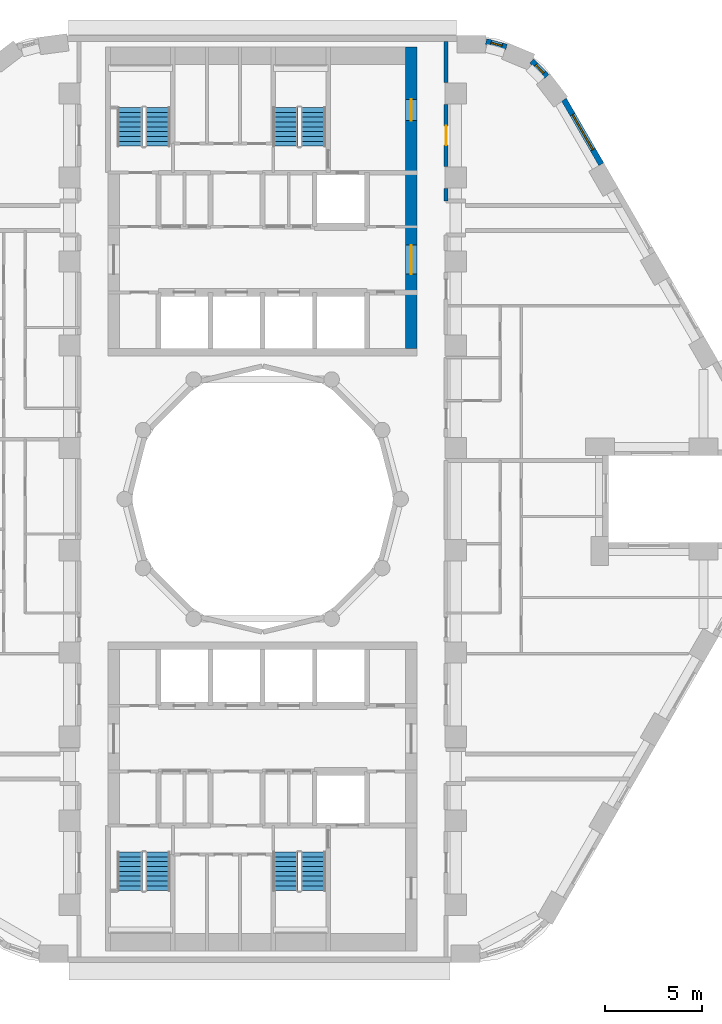
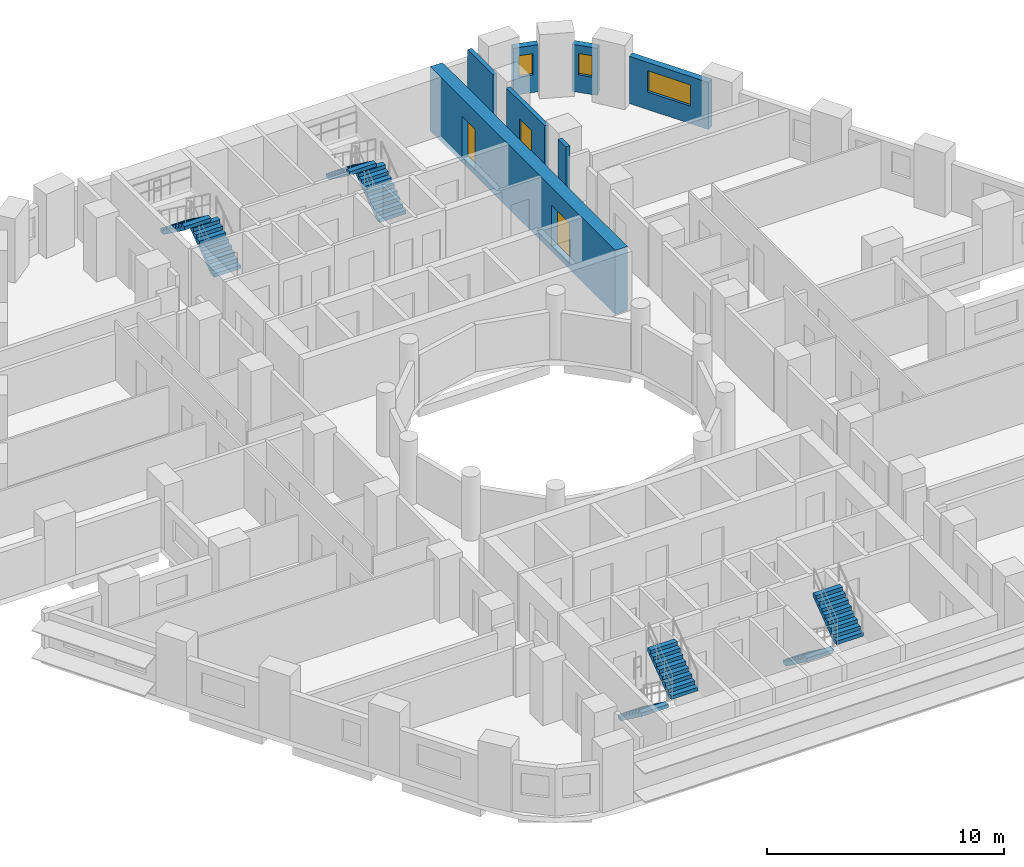
# One storey, part 9 of 13: 8 stair flights, 7 walls, 3 doors, 3 windows, 6 openings, 4 elements without a shape of their own.
"""IFC4 building model written with IfcOpenShell, lengths in metres."""

from ifc_helpers import new_model, si_unit, direction, frame, frame_2d, origin, place, context, subcontext, project, spatial, polyline, rectangle, outline, extrude, material, layer, layer_set, type_object, element, fill, aggregate, save


model = new_model("IFC4")

# Units and contexts
model_context = context("Model", 3, precision=1e-05, world=origin(), true_north=direction((0.0, 1.0)))
body_context = subcontext(model_context, "Body", "Model", "MODEL_VIEW")
ifc_project = project(units=[si_unit("LENGTHUNIT", "METRE"), si_unit("AREAUNIT", "SQUARE_METRE"), si_unit("VOLUMEUNIT", "CUBIC_METRE"), si_unit("PLANEANGLEUNIT", "RADIAN"), si_unit("MASSUNIT", "GRAM", prefix="KILO")], contexts=[model_context])

# Site, building, storey
site_placement = place(None, origin())
site = spatial("IfcSite", under=ifc_project, at=site_placement, CompositionType="ELEMENT")
building_placement = place(site_placement, origin())
building = spatial("IfcBuilding", under=site, at=building_placement, Name="Nakaniwa Court", CompositionType="ELEMENT")
storey_placement = place(building_placement, frame((0.0, 0.0, 44.699951171875)))
storey = spatial("IfcBuildingStorey", under=building, at=storey_placement, Name="L11", CompositionType="ELEMENT", Elevation=44.699951171875)

# Wall
ifc_material_1 = material(Name="Acoustic double stud partition")
ifc_layer_1 = layer(ifc_material_1, 0.199951171875)
ifc_layer_set_1 = layer_set([ifc_layer_1], Name="Acoustic double stud partition")
wall_type_1 = type_object("IfcWallType", Name="Acoustic double stud partition 200", PredefinedType="PARTITIONING", material=ifc_layer_set_1)
wall_1_placement = place(storey_placement, frame((89.5, 95.422119140625, 0.0), z_axis=(0.0, 0.0, 1.0), x_axis=(0.0, 1.0, 0.0)))
element("IfcWall", 1, at=wall_1_placement, inside=storey, type_object=wall_type_1, Name="Partition PW-082", PredefinedType="PARTITIONING", context=body_context, shape_type="SweptSolid", body=[
    extrude(rectangle(XDim=0.660888671875, YDim=0.199951171875, at=frame_2d((0.33056640625, 0.0))), origin(), (0.0, 0.0, 1.0), 3.025146484375),
])

# Wall, opening, door
wall_2_placement = place(storey_placement, frame((89.5, 100.43310546875, 0.0), z_axis=(0.0, 0.0, 1.0), x_axis=(0.0, -1.0, 0.0)))
wall_2 = element("IfcWall", 2, at=wall_2_placement, inside=storey, type_object=wall_type_1, Name="Partition PW-083", PredefinedType="PARTITIONING", context=body_context, shape_type="SweptSolid", body=[
    extrude(rectangle(XDim=3.216064453125, YDim=0.199951171875, at=frame_2d((1.60791015625, 0.0))), origin(), (0.0, 0.0, 1.0), 3.025146484375),
])
opening_1_placement = place(wall_2_placement, frame((1.10791015625, 0.0, 0.0)))
opening_1 = element("IfcOpeningElement", 3, at=opening_1_placement, cuts=wall_2, Name="Opening D-02-02", PredefinedType="OPENING", context=body_context, shape_type="SweptSolid", body=[
    extrude(rectangle(XDim=1.0, YDim=2.10009765625, at=frame_2d((0.5, 1.050048828125))), frame((0.0, 0.10986328125, 0.0), z_axis=(0.0, -1.0, 0.0), x_axis=(1.0, 0.0, 0.0)), (0.0, 0.0, 1.0), 0.219970703125),
])
ifc_material_2 = material(Name="Solid core timber door set, black veneer", Category="wood")
door_type_1 = type_object("IfcDoorType", Name="Internal door 1000", OperationType="NOTDEFINED", PredefinedType="DOOR", material=ifc_material_2)
door_1_placement = place(opening_1_placement, origin())
door_1 = element("IfcDoor", 4, at=door_1_placement, inside=storey, type_object=door_type_1, Name="Door D-02-02 L11-042", OperationType="SINGLE_SWING_LEFT", OverallHeight=2.10009765625, OverallWidth=1.0, PredefinedType="DOOR", context=body_context, shape_type="SweptSolid", body=[
    extrude(rectangle(XDim=1.0, YDim=2.10009765625, at=frame_2d((0.5, 1.050048828125))), frame((0.0, 0.02490234375, 0.0), z_axis=(0.0, -1.0, 0.0), x_axis=(1.0, 0.0, 0.0)), (0.0, 0.0, 1.0), 0.050048828125),
])
fill(opening_1, door_1)

# Wall
wall_3_placement = place(storey_placement, frame((89.5, 101.56689453125, 0.0), z_axis=(0.0, 0.0, 1.0), x_axis=(0.0, 1.0, 0.0)))
element("IfcWall", 5, at=wall_3_placement, inside=storey, type_object=wall_type_1, Name="Partition PW-084", PredefinedType="PARTITIONING", context=body_context, shape_type="SweptSolid", body=[
    extrude(rectangle(XDim=2.133056640625, YDim=0.199951171875, at=frame_2d((1.06640625, 0.0))), origin(), (0.0, 0.0, 1.0), 3.025146484375),
])

# Wall, opening, window
ifc_material_3 = material(Name="Charcoal ceramic cladding")
ifc_layer_2 = layer(ifc_material_3, 0.02, Name="Ceramic cladding")
ifc_material_4 = material(Name="Ventilated air cavity")
ifc_layer_3 = layer(ifc_material_4, 0.04, ventilated=True, Name="Ventilated cavity")
ifc_material_5 = material(Name="Mineral wool insulation")
ifc_layer_4 = layer(ifc_material_5, 0.1, Name="Insulation")
ifc_material_6 = material(Name="Cement bonded sheathing board")
ifc_layer_5 = layer(ifc_material_6, 0.012, Name="Sheathing")
ifc_material_7 = material(Name="Cold-formed galvanised stud frame with mineral wool infill")
ifc_layer_6 = layer(ifc_material_7, 0.1, Name="Stud frame")
ifc_material_8 = material(Name="Fire-rated gypsum plasterboard lining")
ifc_layer_7 = layer(ifc_material_8, 0.028, Name="Lining")
ifc_layer_set_2 = layer_set([ifc_layer_2, ifc_layer_3, ifc_layer_4, ifc_layer_5, ifc_layer_6, ifc_layer_7], Name="Charcoal ceramic faced external wall system")
wall_type_2 = type_object("IfcWallType", Name="Black ceramic faced external wall 300", PredefinedType="SOLIDWALL", material=ifc_layer_set_2)
wall_4_placement = place(storey_placement, frame((97.5322265625, 97.3330078125, 0.0), z_axis=(0.0, 0.0, 1.0), x_axis=(-0.499948341072, 0.866055227026, 0.0)))
wall_4 = element("IfcWall", 6, at=wall_4_placement, inside=storey, type_object=wall_type_2, Name="L11 external wall 05", PredefinedType="SOLIDWALL", context=body_context, shape_type="SweptSolid", body=[
    extrude(rectangle(XDim=3.8671875, YDim=0.300048828125, at=frame_2d((1.93359375, 0.0))), origin(), (0.0, 0.0, 1.0), 2.425048828125),
])
opening_2_placement = place(wall_4_placement, frame((0.872314453125, 0.0, 0.89990234375)))
opening_2 = element("IfcOpeningElement", 7, at=opening_2_placement, cuts=wall_4, Name="Opening W7.07", PredefinedType="OPENING", context=body_context, shape_type="SweptSolid", body=[
    extrude(rectangle(XDim=2.10009765625, YDim=1.10009765625, at=frame_2d((1.050048828125, 0.550048828125))), frame((0.0, 0.159912109375, 0.0), z_axis=(0.0, -1.0, 0.0), x_axis=(1.0, 0.0, 0.0)), (0.0, 0.0, 1.0), 0.320068359375),
])
ifc_material_9 = material(Name="Black anodised aluminium frame with dark low-E laminated double glazing", Category="aluminium")
window_type_1 = type_object("IfcWindowType", Name="Dark glass window 2100x1100 sill 900", PartitioningType="SINGLE_PANEL", PredefinedType="WINDOW", material=ifc_material_9)
window_1_placement = place(opening_2_placement, origin())
window_1 = element("IfcWindow", 8, at=window_1_placement, inside=storey, type_object=window_type_1, Name="L11 habitable room window 05-0", OverallHeight=1.10009765625, OverallWidth=2.10009765625, PartitioningType="SINGLE_PANEL", PredefinedType="WINDOW", context=body_context, shape_type="SweptSolid", body=[
    extrude(rectangle(XDim=2.10009765625, YDim=1.10009765625, at=frame_2d((1.050048828125, 0.550048828125))), frame((0.0, 0.030029296875, 0.0), z_axis=(0.0, -1.0, 0.0), x_axis=(1.0, 0.0, 0.0)), (0.0, 0.0, 1.0), 0.06005859375),
])
fill(opening_2, window_1)

wall_5_placement = place(storey_placement, frame((94.712646484375, 101.8828125, 0.0), z_axis=(0.0, 0.0, 1.0), x_axis=(-0.696138968055, 0.717907053285, 0.0)))
wall_5 = element("IfcWall", 9, at=wall_5_placement, inside=storey, type_object=wall_type_2, Name="L11 external wall 06", PredefinedType="SOLIDWALL", context=body_context, shape_type="SweptSolid", body=[
    extrude(rectangle(XDim=1.1103515625, YDim=0.300048828125, at=frame_2d((0.55517578125, 0.0))), origin(), (0.0, 0.0, 1.0), 2.425048828125),
])
opening_3_placement = place(wall_5_placement, frame((0.230712890625, 0.0, 0.89990234375)))
opening_3 = element("IfcOpeningElement", 10, at=opening_3_placement, cuts=wall_5, Name="Opening W8.08", PredefinedType="OPENING", context=body_context, shape_type="SweptSolid", body=[
    extrude(rectangle(XDim=0.60009765625, YDim=1.10009765625, at=frame_2d((0.300048828125, 0.550048828125))), frame((0.0, 0.159912109375, 0.0), z_axis=(0.0, -1.0, 0.0), x_axis=(1.0, 0.0, 0.0)), (0.0, 0.0, 1.0), 0.320068359375),
])
window_type_2 = type_object("IfcWindowType", Name="Dark glass window 600x1100 sill 900", PartitioningType="SINGLE_PANEL", PredefinedType="WINDOW", material=ifc_material_9)
window_2_placement = place(opening_3_placement, origin())
window_2 = element("IfcWindow", 11, at=window_2_placement, inside=storey, type_object=window_type_2, Name="L11 habitable room window 06-0", OverallHeight=1.10009765625, OverallWidth=0.60009765625, PartitioningType="SINGLE_PANEL", PredefinedType="WINDOW", context=body_context, shape_type="SweptSolid", body=[
    extrude(rectangle(XDim=0.60009765625, YDim=1.10009765625, at=frame_2d((0.300048828125, 0.550048828125))), frame((0.0, 0.030029296875, 0.0), z_axis=(0.0, -1.0, 0.0), x_axis=(1.0, 0.0, 0.0)), (0.0, 0.0, 1.0), 0.06005859375),
])
fill(opening_3, window_2)

wall_6_placement = place(storey_placement, frame((92.62548828125, 103.406982421875, 0.0), z_axis=(0.0, 0.0, 1.0), x_axis=(-0.96522637192, 0.261415475728, 0.0)))
wall_6 = element("IfcWall", 12, at=wall_6_placement, inside=storey, type_object=wall_type_2, Name="L11 external wall 07", PredefinedType="SOLIDWALL", context=body_context, shape_type="SweptSolid", body=[
    extrude(rectangle(XDim=1.0927734375, YDim=0.300048828125, at=frame_2d((0.54638671875, 0.0))), origin(), (0.0, 0.0, 1.0), 2.425048828125),
])
opening_4_placement = place(wall_6_placement, frame((0.236083984375, 0.0, 0.89990234375)))
opening_4 = element("IfcOpeningElement", 13, at=opening_4_placement, cuts=wall_6, Name="Opening W8.09", PredefinedType="OPENING", context=body_context, shape_type="SweptSolid", body=[
    extrude(rectangle(XDim=0.60009765625, YDim=1.10009765625, at=frame_2d((0.300048828125, 0.550048828125))), frame((0.0, 0.159912109375, 0.0), z_axis=(0.0, -1.0, 0.0), x_axis=(1.0, 0.0, 0.0)), (0.0, 0.0, 1.0), 0.320068359375),
])
window_3_placement = place(opening_4_placement, origin())
window_3 = element("IfcWindow", 14, at=window_3_placement, inside=storey, type_object=window_type_2, Name="L11 habitable room window 07-0", OverallHeight=1.10009765625, OverallWidth=0.60009765625, PartitioningType="SINGLE_PANEL", PredefinedType="WINDOW", context=body_context, shape_type="SweptSolid", body=[
    extrude(rectangle(XDim=0.60009765625, YDim=1.10009765625, at=frame_2d((0.300048828125, 0.550048828125))), frame((0.0, 0.030029296875, 0.0), z_axis=(0.0, -1.0, 0.0), x_axis=(1.0, 0.0, 0.0)), (0.0, 0.0, 1.0), 0.06005859375),
])
fill(opening_4, window_3)

# Wall, openings, doors
ifc_material_10 = material(Name="Concrete C100/115", Category="concrete")
ifc_layer_8 = layer(ifc_material_10, 0.60009765625)
ifc_layer_set_3 = layer_set([ifc_layer_8], Name="Concrete C100/115")
wall_type_3 = type_object("IfcWallType", Name="Concrete core side wall 600 C100", PredefinedType="SHEAR", material=ifc_layer_set_3)
wall_7_placement = place(storey_placement, frame((87.699951171875, 103.39990234375, -0.27490234375), z_axis=(0.0, 0.0, 1.0), x_axis=(0.0, -1.0, 0.0)))
wall_7 = element("IfcWall", 15, at=wall_7_placement, inside=storey, type_object=wall_type_3, Name="Core wall SW-15", PredefinedType="SHEAR", context=body_context, shape_type="SweptSolid", body=[
    extrude(rectangle(XDim=15.599853515625, YDim=0.60009765625, at=frame_2d((7.7998046875, 0.0))), origin(), (0.0, 0.0, 1.0), 3.300048828125),
])
opening_5_placement = place(wall_7_placement, frame((10.25, 0.0, 0.27490234375)))
opening_5 = element("IfcOpeningElement", 16, at=opening_5_placement, cuts=wall_7, Name="Opening D-07-01", PredefinedType="OPENING", context=body_context, shape_type="SweptSolid", body=[
    extrude(rectangle(XDim=1.5, YDim=2.10009765625, at=frame_2d((0.75, 1.050048828125))), frame((0.0, 0.31005859375, 0.0), z_axis=(0.0, -1.0, 0.0), x_axis=(1.0, 0.0, 0.0)), (0.0, 0.0, 1.0), 0.6201171875),
])
opening_6_placement = place(wall_7_placement, frame((2.699951171875, 0.0, 0.27490234375)))
opening_6 = element("IfcOpeningElement", 17, at=opening_6_placement, cuts=wall_7, Name="Opening D-10-01", PredefinedType="OPENING", context=body_context, shape_type="SweptSolid", body=[
    extrude(rectangle(XDim=1.10009765625, YDim=2.10009765625, at=frame_2d((0.550048828125, 1.050048828125))), frame((0.0, 0.31005859375, 0.0), z_axis=(0.0, -1.0, 0.0), x_axis=(1.0, 0.0, 0.0)), (0.0, 0.0, 1.0), 0.6201171875),
])
ifc_material_11 = material(Name="Fire rated steel door set", Category="steel")
door_type_2 = type_object("IfcDoorType", Name="Firefighting lobby door 1100", OperationType="NOTDEFINED", PredefinedType="DOOR", material=ifc_material_11)
door_2_placement = place(opening_6_placement, origin())
door_2 = element("IfcDoor", 18, at=door_2_placement, inside=storey, type_object=door_type_2, Name="Door D-10-01 L11-062", OperationType="SINGLE_SWING_LEFT", OverallHeight=2.10009765625, OverallWidth=1.10009765625, PredefinedType="DOOR", context=body_context, shape_type="SweptSolid", body=[
    extrude(rectangle(XDim=1.10009765625, YDim=2.10009765625, at=frame_2d((0.550048828125, 1.050048828125))), frame((0.0, 0.02490234375, 0.0), z_axis=(0.0, -1.0, 0.0), x_axis=(1.0, 0.0, 0.0)), (0.0, 0.0, 1.0), 0.050048828125),
])
fill(opening_6, door_2)
ifc_material_12 = material(Name="Glazed fire rated steel double door set", Category="steel")
door_type_3 = type_object("IfcDoorType", Name="Lobby double door 1500", OperationType="NOTDEFINED", PredefinedType="DOOR", material=ifc_material_12)
door_3_placement = place(opening_5_placement, origin())
door_3 = element("IfcDoor", 19, at=door_3_placement, inside=storey, type_object=door_type_3, Name="Door D-07-01 L11-060", OperationType="DOUBLE_DOOR_SINGLE_SWING", OverallHeight=2.10009765625, OverallWidth=1.5, PredefinedType="DOOR", context=body_context, shape_type="SweptSolid", body=[
    extrude(rectangle(XDim=1.5, YDim=2.10009765625, at=frame_2d((0.75, 1.050048828125))), frame((0.0, 0.02490234375, 0.0), z_axis=(0.0, -1.0, 0.0), x_axis=(1.0, 0.0, 0.0)), (0.0, 0.0, 1.0), 0.050048828125),
])
fill(opening_5, door_3)

# Stair, stair flights
ifc_material_13 = material(Name="Concrete C80/100", Category="concrete")
stair_type = type_object("IfcStairType", Name="Dog leg stair 1300 wide 18 risers", PredefinedType="HALF_TURN_STAIR", material=ifc_material_13)
stair_1_placement = place(storey_placement, origin())
stair_1 = element("IfcStair", 20, at=stair_1_placement, inside=storey, type_object=stair_type, Name="L11 Stair ST1", PredefinedType="HALF_TURN_STAIR")
stair_flight_type = type_object("IfcStairFlightType", Name="Stair flight 1300 wide 9 risers", PredefinedType="STRAIGHT", material=ifc_material_13)
stair_flight_1_placement = place(storey_placement, frame((74.574951171875, 98.27490234375, 0.0), z_axis=(0.0, 0.0, 1.0), x_axis=(0.0, 1.0, 0.0)))
stair_flight_1 = element("IfcStairFlight", 21, at=stair_flight_1_placement, type_object=stair_flight_type, Name="ST1 flight 1", NumberOfRisers=9, NumberOfTreads=8, PredefinedType="STRAIGHT", RiserHeight=0.183333333, TreadLength=0.25, context=body_context, shape_type="SweptSolid", body=[
    extrude(outline(polyline([(0.0, 0.0), (0.0, 0.026123046875), (0.0, 0.052490234375), (0.0, 0.07861328125), (0.0, 0.104736328125), (0.0, 0.130859375), (0.0, 0.1572265625), (0.0, 0.183349609375), (0.25, 0.183349609375), (0.25, 0.36669921875), (0.5, 0.36669921875), (0.5, 0.550048828125), (0.75, 0.550048828125), (0.75, 0.7333984375), (1.0, 0.7333984375), (1.0, 0.916748046875), (1.25, 0.916748046875), (1.25, 1.10009765625), (1.5, 1.10009765625), (1.5, 1.283447265625), (1.75, 1.283447265625), (1.75, 1.466552734375), (2.0, 1.466552734375), (2.0, 1.64990234375), (2.0, 1.59716796875), (2.0, 1.54443359375), (2.0, 1.49169921875), (2.0, 1.43896484375), (2.0, 1.38623046875), (2.0, 1.33349609375), (2.0, 1.28076171875), (0.25341796875, 0.0), (0.0, 0.0)])), frame((0.0, 0.64990234375, 0.0), z_axis=(0.0, -1.0, 0.0), x_axis=(1.0, 0.0, 0.0)), (0.0, 0.0, 1.0), 1.300048828125),
])
stair_flight_2_placement = place(storey_placement, frame((73.125, 100.27490234375, 1.650146484375), z_axis=(0.0, 0.0, 1.0), x_axis=(0.0, -1.0, 0.0)))
stair_flight_2 = element("IfcStairFlight", 22, at=stair_flight_2_placement, type_object=stair_flight_type, Name="ST1 flight 2", NumberOfRisers=9, NumberOfTreads=8, PredefinedType="STRAIGHT", RiserHeight=0.183333333, TreadLength=0.25, context=body_context, shape_type="SweptSolid", body=[
    extrude(outline(polyline([(0.0, 0.0), (0.0, 0.026123046875), (0.0, 0.052490234375), (0.0, 0.07861328125), (0.0, 0.104736328125), (0.0, 0.130859375), (0.0, 0.1572265625), (0.0, 0.183349609375), (0.25, 0.183349609375), (0.25, 0.36669921875), (0.5, 0.36669921875), (0.5, 0.550048828125), (0.75, 0.550048828125), (0.75, 0.7333984375), (1.0, 0.7333984375), (1.0, 0.916748046875), (1.25, 0.916748046875), (1.25, 1.10009765625), (1.5, 1.10009765625), (1.5, 1.283447265625), (1.75, 1.283447265625), (1.75, 1.466552734375), (2.0, 1.466552734375), (2.0, 1.64990234375), (2.0, 1.59716796875), (2.0, 1.54443359375), (2.0, 1.49169921875), (2.0, 1.43896484375), (2.0, 1.38623046875), (2.0, 1.33349609375), (2.0, 1.28076171875), (0.25341796875, 0.0), (0.0, 0.0)])), frame((0.0, 0.64990234375, 0.0), z_axis=(0.0, -1.0, 0.0), x_axis=(1.0, 0.0, 0.0)), (0.0, 0.0, 1.0), 1.300048828125),
])
aggregate(stair_1, [stair_flight_1, stair_flight_2])

stair_2_placement = place(storey_placement, origin())
stair_2 = element("IfcStair", 23, at=stair_2_placement, inside=storey, type_object=stair_type, Name="L11 Stair ST2", PredefinedType="HALF_TURN_STAIR")
stair_flight_3_placement = place(storey_placement, frame((82.625, 98.27490234375, 0.0), z_axis=(0.0, 0.0, 1.0), x_axis=(0.0, 1.0, 0.0)))
stair_flight_3 = element("IfcStairFlight", 24, at=stair_flight_3_placement, type_object=stair_flight_type, Name="ST2 flight 1", NumberOfRisers=9, NumberOfTreads=8, PredefinedType="STRAIGHT", RiserHeight=0.183333333, TreadLength=0.25, context=body_context, shape_type="SweptSolid", body=[
    extrude(outline(polyline([(0.0, 0.0), (0.0, 0.026123046875), (0.0, 0.052490234375), (0.0, 0.07861328125), (0.0, 0.104736328125), (0.0, 0.130859375), (0.0, 0.1572265625), (0.0, 0.183349609375), (0.25, 0.183349609375), (0.25, 0.36669921875), (0.5, 0.36669921875), (0.5, 0.550048828125), (0.75, 0.550048828125), (0.75, 0.7333984375), (1.0, 0.7333984375), (1.0, 0.916748046875), (1.25, 0.916748046875), (1.25, 1.10009765625), (1.5, 1.10009765625), (1.5, 1.283447265625), (1.75, 1.283447265625), (1.75, 1.466552734375), (2.0, 1.466552734375), (2.0, 1.64990234375), (2.0, 1.59716796875), (2.0, 1.54443359375), (2.0, 1.49169921875), (2.0, 1.43896484375), (2.0, 1.38623046875), (2.0, 1.33349609375), (2.0, 1.28076171875), (0.25341796875, 0.0), (0.0, 0.0)])), frame((0.0, 0.64990234375, 0.0), z_axis=(0.0, -1.0, 0.0), x_axis=(1.0, 0.0, 0.0)), (0.0, 0.0, 1.0), 1.300048828125),
])
stair_flight_4_placement = place(storey_placement, frame((81.175048828125, 100.27490234375, 1.650146484375), z_axis=(0.0, 0.0, 1.0), x_axis=(0.0, -1.0, 0.0)))
stair_flight_4 = element("IfcStairFlight", 25, at=stair_flight_4_placement, type_object=stair_flight_type, Name="ST2 flight 2", NumberOfRisers=9, NumberOfTreads=8, PredefinedType="STRAIGHT", RiserHeight=0.183333333, TreadLength=0.25, context=body_context, shape_type="SweptSolid", body=[
    extrude(outline(polyline([(0.0, 0.0), (0.0, 0.026123046875), (0.0, 0.052490234375), (0.0, 0.07861328125), (0.0, 0.104736328125), (0.0, 0.130859375), (0.0, 0.1572265625), (0.0, 0.183349609375), (0.25, 0.183349609375), (0.25, 0.36669921875), (0.5, 0.36669921875), (0.5, 0.550048828125), (0.75, 0.550048828125), (0.75, 0.7333984375), (1.0, 0.7333984375), (1.0, 0.916748046875), (1.25, 0.916748046875), (1.25, 1.10009765625), (1.5, 1.10009765625), (1.5, 1.283447265625), (1.75, 1.283447265625), (1.75, 1.466552734375), (2.0, 1.466552734375), (2.0, 1.64990234375), (2.0, 1.59716796875), (2.0, 1.54443359375), (2.0, 1.49169921875), (2.0, 1.43896484375), (2.0, 1.38623046875), (2.0, 1.33349609375), (2.0, 1.28076171875), (0.25341796875, 0.0), (0.0, 0.0)])), frame((0.0, 0.64990234375, 0.0), z_axis=(0.0, -1.0, 0.0), x_axis=(1.0, 0.0, 0.0)), (0.0, 0.0, 1.0), 1.300048828125),
])
aggregate(stair_2, [stair_flight_3, stair_flight_4])

stair_3_placement = place(storey_placement, origin())
stair_3 = element("IfcStair", 26, at=stair_3_placement, inside=storey, type_object=stair_type, Name="L11 Stair ST3", PredefinedType="HALF_TURN_STAIR")
stair_flight_5_placement = place(storey_placement, frame((73.125, 61.72509765625, 0.0), z_axis=(0.0, 0.0, 1.0), x_axis=(0.0, -1.0, 0.0)))
stair_flight_5 = element("IfcStairFlight", 27, at=stair_flight_5_placement, type_object=stair_flight_type, Name="ST3 flight 1", NumberOfRisers=9, NumberOfTreads=8, PredefinedType="STRAIGHT", RiserHeight=0.183333333, TreadLength=0.25, context=body_context, shape_type="SweptSolid", body=[
    extrude(outline(polyline([(0.0, 0.0), (0.0, 0.026123046875), (0.0, 0.052490234375), (0.0, 0.07861328125), (0.0, 0.104736328125), (0.0, 0.130859375), (0.0, 0.1572265625), (0.0, 0.183349609375), (0.25, 0.183349609375), (0.25, 0.36669921875), (0.5, 0.36669921875), (0.5, 0.550048828125), (0.75, 0.550048828125), (0.75, 0.7333984375), (1.0, 0.7333984375), (1.0, 0.916748046875), (1.25, 0.916748046875), (1.25, 1.10009765625), (1.5, 1.10009765625), (1.5, 1.283447265625), (1.75, 1.283447265625), (1.75, 1.466552734375), (2.0, 1.466552734375), (2.0, 1.64990234375), (2.0, 1.59716796875), (2.0, 1.54443359375), (2.0, 1.49169921875), (2.0, 1.43896484375), (2.0, 1.38623046875), (2.0, 1.33349609375), (2.0, 1.28076171875), (0.25341796875, 0.0), (0.0, 0.0)])), frame((0.0, 0.64990234375, 0.0), z_axis=(0.0, -1.0, 0.0), x_axis=(1.0, 0.0, 0.0)), (0.0, 0.0, 1.0), 1.300048828125),
])
stair_flight_6_placement = place(storey_placement, frame((74.574951171875, 59.72509765625, 1.650146484375), z_axis=(0.0, 0.0, 1.0), x_axis=(0.0, 1.0, 0.0)))
stair_flight_6 = element("IfcStairFlight", 28, at=stair_flight_6_placement, type_object=stair_flight_type, Name="ST3 flight 2", NumberOfRisers=9, NumberOfTreads=8, PredefinedType="STRAIGHT", RiserHeight=0.183333333, TreadLength=0.25, context=body_context, shape_type="SweptSolid", body=[
    extrude(outline(polyline([(0.0, 0.0), (0.0, 0.026123046875), (0.0, 0.052490234375), (0.0, 0.07861328125), (0.0, 0.104736328125), (0.0, 0.130859375), (0.0, 0.1572265625), (0.0, 0.183349609375), (0.25, 0.183349609375), (0.25, 0.36669921875), (0.5, 0.36669921875), (0.5, 0.550048828125), (0.75, 0.550048828125), (0.75, 0.7333984375), (1.0, 0.7333984375), (1.0, 0.916748046875), (1.25, 0.916748046875), (1.25, 1.10009765625), (1.5, 1.10009765625), (1.5, 1.283447265625), (1.75, 1.283447265625), (1.75, 1.466552734375), (2.0, 1.466552734375), (2.0, 1.64990234375), (2.0, 1.59716796875), (2.0, 1.54443359375), (2.0, 1.49169921875), (2.0, 1.43896484375), (2.0, 1.38623046875), (2.0, 1.33349609375), (2.0, 1.28076171875), (0.25341796875, 0.0), (0.0, 0.0)])), frame((0.0, 0.64990234375, 0.0), z_axis=(0.0, -1.0, 0.0), x_axis=(1.0, 0.0, 0.0)), (0.0, 0.0, 1.0), 1.300048828125),
])
aggregate(stair_3, [stair_flight_5, stair_flight_6])

stair_4_placement = place(storey_placement, origin())
stair_4 = element("IfcStair", 29, at=stair_4_placement, inside=storey, type_object=stair_type, Name="L11 Stair ST4", PredefinedType="HALF_TURN_STAIR")
stair_flight_7_placement = place(storey_placement, frame((81.175048828125, 61.72509765625, 0.0), z_axis=(0.0, 0.0, 1.0), x_axis=(0.0, -1.0, 0.0)))
stair_flight_7 = element("IfcStairFlight", 30, at=stair_flight_7_placement, type_object=stair_flight_type, Name="ST4 flight 1", NumberOfRisers=9, NumberOfTreads=8, PredefinedType="STRAIGHT", RiserHeight=0.183333333, TreadLength=0.25, context=body_context, shape_type="SweptSolid", body=[
    extrude(outline(polyline([(0.0, 0.0), (0.0, 0.026123046875), (0.0, 0.052490234375), (0.0, 0.07861328125), (0.0, 0.104736328125), (0.0, 0.130859375), (0.0, 0.1572265625), (0.0, 0.183349609375), (0.25, 0.183349609375), (0.25, 0.36669921875), (0.5, 0.36669921875), (0.5, 0.550048828125), (0.75, 0.550048828125), (0.75, 0.7333984375), (1.0, 0.7333984375), (1.0, 0.916748046875), (1.25, 0.916748046875), (1.25, 1.10009765625), (1.5, 1.10009765625), (1.5, 1.283447265625), (1.75, 1.283447265625), (1.75, 1.466552734375), (2.0, 1.466552734375), (2.0, 1.64990234375), (2.0, 1.59716796875), (2.0, 1.54443359375), (2.0, 1.49169921875), (2.0, 1.43896484375), (2.0, 1.38623046875), (2.0, 1.33349609375), (2.0, 1.28076171875), (0.25341796875, 0.0), (0.0, 0.0)])), frame((0.0, 0.64990234375, 0.0), z_axis=(0.0, -1.0, 0.0), x_axis=(1.0, 0.0, 0.0)), (0.0, 0.0, 1.0), 1.300048828125),
])
stair_flight_8_placement = place(storey_placement, frame((82.625, 59.72509765625, 1.650146484375), z_axis=(0.0, 0.0, 1.0), x_axis=(0.0, 1.0, 0.0)))
stair_flight_8 = element("IfcStairFlight", 31, at=stair_flight_8_placement, type_object=stair_flight_type, Name="ST4 flight 2", NumberOfRisers=9, NumberOfTreads=8, PredefinedType="STRAIGHT", RiserHeight=0.183333333, TreadLength=0.25, context=body_context, shape_type="SweptSolid", body=[
    extrude(outline(polyline([(0.0, 0.0), (0.0, 0.026123046875), (0.0, 0.052490234375), (0.0, 0.07861328125), (0.0, 0.104736328125), (0.0, 0.130859375), (0.0, 0.1572265625), (0.0, 0.183349609375), (0.25, 0.183349609375), (0.25, 0.36669921875), (0.5, 0.36669921875), (0.5, 0.550048828125), (0.75, 0.550048828125), (0.75, 0.7333984375), (1.0, 0.7333984375), (1.0, 0.916748046875), (1.25, 0.916748046875), (1.25, 1.10009765625), (1.5, 1.10009765625), (1.5, 1.283447265625), (1.75, 1.283447265625), (1.75, 1.466552734375), (2.0, 1.466552734375), (2.0, 1.64990234375), (2.0, 1.59716796875), (2.0, 1.54443359375), (2.0, 1.49169921875), (2.0, 1.43896484375), (2.0, 1.38623046875), (2.0, 1.33349609375), (2.0, 1.28076171875), (0.25341796875, 0.0), (0.0, 0.0)])), frame((0.0, 0.64990234375, 0.0), z_axis=(0.0, -1.0, 0.0), x_axis=(1.0, 0.0, 0.0)), (0.0, 0.0, 1.0), 1.300048828125),
])
aggregate(stair_4, [stair_flight_7, stair_flight_8])

save(model, "model.ifc")
